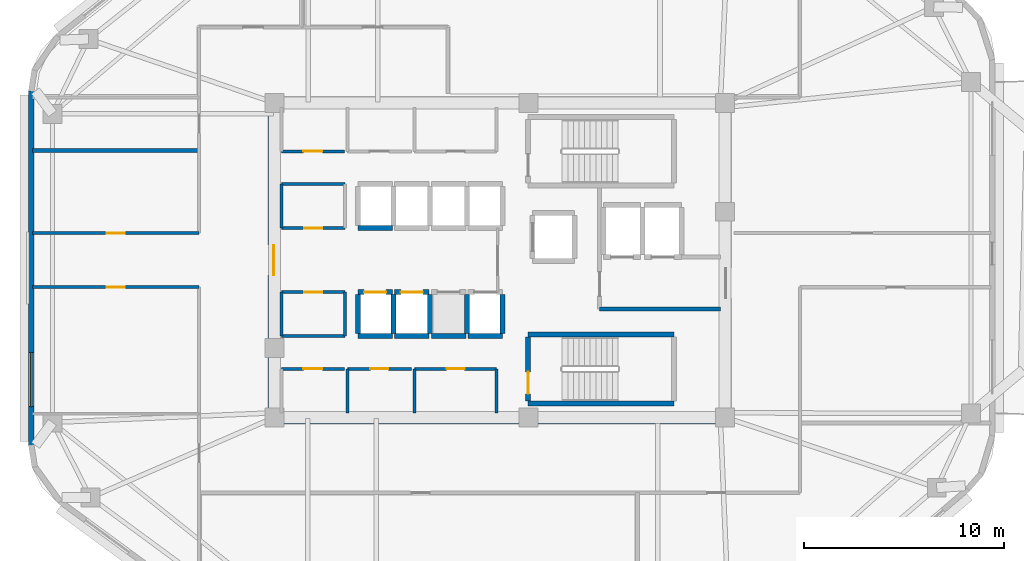
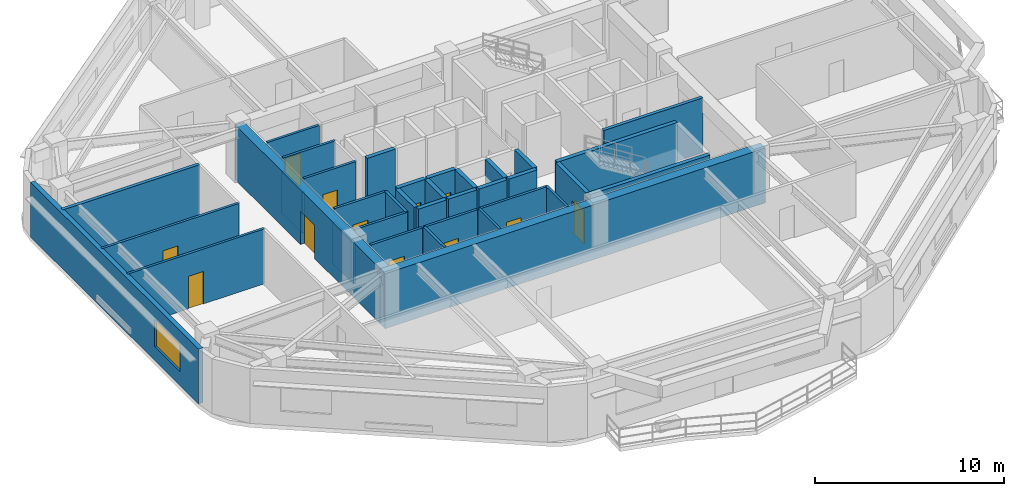
# One storey, part 3 of 9: 36 walls, 12 doors, 1 window, 13 openings.
"""IFC4 building model written with IfcOpenShell, lengths in metres."""

import ifcopenshell
import ifcopenshell.guid

model = None  # the IFC model being written
_history = None  # IfcOwnerHistory: only IFC2X3 demands one
_inside = {}  # id of a spatial element -> (the spatial element, [elements in it])
_under = {}  # id of a project, library or spatial element -> (it, [spatial elements below it])
_declared = {}  # id of a project -> (the project, [libraries it declares])
_typed = {}  # id of a type object -> (the type object, [elements of that type])
_made_of = {}  # id of a material, layer set ... -> (it, [elements and type objects made of it])


def new_model(schema):
    """Start an empty IFC model of exactly this schema.

    Asked for "IFC4X3", IfcOpenShell would pick the latest addendum, in which some entities
    have other attributes; the version numbers below select the first issue.
    IFC2X3 requires an IfcOwnerHistory on every rooted entity: one is made here for all.
    """
    global model, _history
    if schema == "IFC4X3":
        model = ifcopenshell.file(schema_version=(4, 3, 0, 0))
    else:
        model = ifcopenshell.file(schema=schema)
    _inside.clear()
    _under.clear()
    _declared.clear()
    _typed.clear()
    _made_of.clear()
    _history = None
    if model.schema == "IFC2X3":
        org = make("IfcOrganization", Name="unknown")
        user = make(
            "IfcPersonAndOrganization",
            ThePerson=make("IfcPerson", FamilyName="unknown"),
            TheOrganization=org,
        )
        app = make(
            "IfcApplication",
            ApplicationDeveloper=org,
            Version="unknown",
            ApplicationFullName="unknown",
            ApplicationIdentifier="unknown",
        )
        _history = make(
            "IfcOwnerHistory",
            OwningUser=user,
            OwningApplication=app,
            ChangeAction="ADDED",
            CreationDate=0,
        )
    return model


def make(cls, **values):
    """One entity of the class cls with the attributes given. An attribute that is None is left unset."""
    return model.create_entity(
        cls, **{name: value for name, value in values.items() if value is not None}
    )


def rooted(cls, **values):
    """An entity with a GlobalId (a new one), such as an element, a storey or a relation."""
    return make(cls, GlobalId=ifcopenshell.guid.new(), OwnerHistory=_history, **values)


def si_unit(unit_type, name, prefix=None):
    """IfcSIUnit, for example si_unit("LENGTHUNIT", "METRE", prefix="MILLI")."""
    return make("IfcSIUnit", UnitType=unit_type, Prefix=prefix, Name=name)


def assignment(units):
    """IfcUnitAssignment: the units of a project."""
    return None if units is None else make("IfcUnitAssignment", Units=units)


def point(xyz):
    """IfcCartesianPoint."""
    return None if xyz is None else make("IfcCartesianPoint", Coordinates=xyz)


def direction(xyz):
    """IfcDirection."""
    return None if xyz is None else make("IfcDirection", DirectionRatios=xyz)


def frame(location, z_axis=None, x_axis=None):
    """IfcAxis2Placement3D, a coordinate frame: its origin and axes. An axis left out is left unset."""
    return make(
        "IfcAxis2Placement3D",
        Location=point(location),
        Axis=direction(z_axis),
        RefDirection=direction(x_axis),
    )


def frame_2d(location, x_axis=None):
    """IfcAxis2Placement2D, a coordinate frame in the plane: its origin and x axis."""
    return make(
        "IfcAxis2Placement2D", Location=point(location), RefDirection=direction(x_axis)
    )


def origin():
    """The frame at (0, 0, 0) with its axes left unset."""
    return frame((0.0, 0.0, 0.0))


def place(relative_to, where):
    """IfcLocalPlacement: puts the frame where relative to a parent placement (None: the world)."""
    return make(
        "IfcLocalPlacement", PlacementRelTo=relative_to, RelativePlacement=where
    )


def context(
    kind, dimensions, precision=None, world=None, true_north=None, identifier=None
):
    """IfcGeometricRepresentationContext, for example the 3D "Model" context."""
    return make(
        "IfcGeometricRepresentationContext",
        ContextIdentifier=identifier,
        ContextType=kind,
        CoordinateSpaceDimension=dimensions,
        Precision=precision,
        WorldCoordinateSystem=world,
        TrueNorth=true_north,
    )


def subcontext(parent, identifier, kind, view, scale=None):
    """IfcGeometricRepresentationSubContext, for example "Body" below "Model"."""
    return make(
        "IfcGeometricRepresentationSubContext",
        ContextIdentifier=identifier,
        ContextType=kind,
        ParentContext=parent,
        TargetScale=scale,
        TargetView=view,
    )


def project(units=None, contexts=None):
    """IfcProject with its units and contexts."""
    return rooted(
        "IfcProject",
        Name="project",
        RepresentationContexts=contexts,
        UnitsInContext=assignment(units),
    )


def spatial(cls, under=None, at=None, **own):
    """A site, building, storey or space (cls), placed at a placement, below another one or the project."""
    s = rooted(cls, ObjectPlacement=at, **own)
    if under is not None:
        _under.setdefault(under.id(), (under, []))[1].append(s)
    return s


def profile(cls, at=None, kind="AREA", **sizes):
    """A parametric profile (cls). Its sizes go by their IFC names, for example OverallWidth=200.0."""
    return make(cls, ProfileType=kind, Position=at, **sizes)


def rectangle(**sizes):
    """IfcRectangleProfileDef."""
    return profile("IfcRectangleProfileDef", **sizes)


def extrude(swept, where, along, depth):
    """IfcExtrudedAreaSolid: the profile swept, set in the frame where, extruded along a direction by depth."""
    return make(
        "IfcExtrudedAreaSolid",
        SweptArea=swept,
        Position=where,
        ExtrudedDirection=direction(along),
        Depth=depth,
    )


def shape(context_of_items, identifier, shape_type, items):
    """IfcShapeRepresentation: the items that make up one representation, for example the "Body"."""
    return make(
        "IfcShapeRepresentation",
        ContextOfItems=context_of_items,
        RepresentationIdentifier=identifier,
        RepresentationType=shape_type,
        Items=items,
    )


def material(Name=None, Category=None):
    """IfcMaterial."""
    return make("IfcMaterial", Name=Name, Category=Category)


def layer(
    of_material, thickness, ventilated=None, Name=None, Category=None, Priority=None
):
    """IfcMaterialLayer: one layer of a wall or slab, of a material (None: an air gap)."""
    return make(
        "IfcMaterialLayer",
        Material=of_material,
        LayerThickness=thickness,
        IsVentilated=ventilated,
        Name=Name,
        Category=Category,
        Priority=Priority,
    )


def layer_set(layers, Name=None):
    """IfcMaterialLayerSet."""
    return make("IfcMaterialLayerSet", MaterialLayers=layers, LayerSetName=Name)


def made_of(thing, what):
    """Note that an element or type object is made of a material, layer set ...; save() writes the relation."""
    if what is not None:
        _made_of.setdefault(what.id(), (what, []))[1].append(thing)
    return thing


def type_object(cls, material=None, **own):
    """A type object (cls), such as IfcWallType, which elements share."""
    return made_of(rooted(cls, **own), material)


def element(
    cls,
    number,
    at=None,
    inside=None,
    cuts=None,
    type_object=None,
    material=None,
    context=None,
    identifier="Body",
    shape_type=None,
    held_by="IfcProductDefinitionShape",
    body=None,
    shapes=None,
    **own,
):
    """One element of the class cls, such as IfcWall. Its Tag is "e" and its number.

    at: its placement. inside: the storey or other place that contains it. cuts: it is an
    opening in that element (IfcRelVoidsElement). A single representation is given by context,
    identifier, shape_type and body (its items); several are given by shapes. held_by: the class
    of the entity that holds the representations. save() writes the other relations.
    """
    e = rooted(cls, Tag="e%d" % number, ObjectPlacement=at, **own)
    if body is not None:
        shapes = [shape(context, identifier, shape_type, body)]
    if shapes is not None:
        e.Representation = make(held_by, Representations=shapes)
    if inside is not None:
        _inside.setdefault(inside.id(), (inside, []))[1].append(e)
    if cuts is not None:
        rooted(
            "IfcRelVoidsElement", RelatingBuildingElement=cuts, RelatedOpeningElement=e
        )
    if type_object is not None:
        _typed.setdefault(type_object.id(), (type_object, []))[1].append(e)
    return made_of(e, material)


def fill(opening, filler):
    """IfcRelFillsElement: the door or window that sits in an opening."""
    return rooted(
        "IfcRelFillsElement",
        RelatingOpeningElement=opening,
        RelatedBuildingElement=filler,
    )


def aggregate(whole, parts):
    """IfcRelAggregates: a whole, such as a stair, and the parts it consists of."""
    return rooted("IfcRelAggregates", RelatingObject=whole, RelatedObjects=parts)


def save(model, path):
    """Write the relations noted so far, then the file.

    IfcRelAggregates (storeys below a building ...), IfcRelContainedInSpatialStructure (elements
    in a storey), IfcRelDefinesByType, IfcRelAssociatesMaterial and IfcRelDeclares: one each for
    every whole, place, type object, material and project.
    """
    for whole, parts in _under.values():
        aggregate(whole, parts)
    for where, things in _inside.values():
        rooted(
            "IfcRelContainedInSpatialStructure",
            RelatedElements=things,
            RelatingStructure=where,
        )
    for kind, things in _typed.values():
        rooted("IfcRelDefinesByType", RelatedObjects=things, RelatingType=kind)
    for what, things in _made_of.values():
        rooted("IfcRelAssociatesMaterial", RelatedObjects=things, RelatingMaterial=what)
    for by, libraries in _declared.values():
        rooted("IfcRelDeclares", RelatingContext=by, RelatedDefinitions=libraries)
    model.write(path)


model = new_model("IFC4")

# Units and contexts
model_context = context("Model", 3, precision=1e-05, world=origin(), true_north=direction((0.0, 1.0)))
body_context = subcontext(model_context, "Body", "Model", "MODEL_VIEW")
ifc_project = project(units=[si_unit("LENGTHUNIT", "METRE"), si_unit("AREAUNIT", "SQUARE_METRE"), si_unit("VOLUMEUNIT", "CUBIC_METRE"), si_unit("PLANEANGLEUNIT", "RADIAN"), si_unit("MASSUNIT", "GRAM", prefix="KILO")], contexts=[model_context])

# Site, building, storey
site_placement = place(None, origin())
site = spatial("IfcSite", under=ifc_project, at=site_placement, CompositionType="ELEMENT")
building_placement = place(site_placement, origin())
building = spatial("IfcBuilding", under=site, at=building_placement, Name="Zulverin Broadcast Headquarters", CompositionType="ELEMENT")
storey_placement = place(building_placement, frame((0.0, 0.0, 159.199951171875)))
storey = spatial("IfcBuildingStorey", under=building, at=storey_placement, Name="L40", CompositionType="ELEMENT", Elevation=159.199951171875)

# Walls
ifc_material_1 = material(Name="Acoustic drywall steel stud", Category="steel")
ifc_layer_1 = layer(ifc_material_1, 0.199951171875, Name="Acoustic drywall steel stud", Category="steel")
ifc_layer_set_1 = layer_set([ifc_layer_1], Name="Acoustic drywall steel stud")
wall_type_1 = type_object("IfcWallType", Name="WL-ACOU-200", PredefinedType="PARTITIONING", material=ifc_layer_set_1)
wall_1_placement = place(storey_placement, frame((13.60498046875, 30.699951171875, 0.0), z_axis=(0.0, 0.0, 1.0), x_axis=(1.0, 0.0, 0.0)))
element("IfcWall", 1, at=wall_1_placement, inside=storey, type_object=wall_type_1, Name="L40 Room Partition Wall RP-15", PredefinedType="PARTITIONING", context=body_context, shape_type="SweptSolid", body=[
    extrude(rectangle(XDim=8.344970703125, YDim=0.199951171875, at=frame_2d((4.17236328125, 0.0))), origin(), (0.0, 0.0, 1.0), 3.5400390625),
])
ifc_material_2 = material(Name="Concrete C60/75", Category="concrete")
ifc_layer_2 = layer(ifc_material_2, 0.550048828125, Name="Concrete C60/75", Category="concrete")
ifc_layer_set_2 = layer_set([ifc_layer_2], Name="Concrete C60/75")
wall_type_2 = type_object("IfcWallType", Name="WL-CORE-550", PredefinedType="SHEAR", material=ifc_layer_set_2)
wall_2_placement = place(storey_placement, frame((25.39990234375, 17.27490234375, 0.0), z_axis=(0.0, 0.0, 1.0), x_axis=(1.0, 0.0, 0.0)))
element("IfcWall", 2, at=wall_2_placement, inside=storey, type_object=wall_type_2, Name="L40 Core South Shear Wall", PredefinedType="SHEAR", context=body_context, shape_type="SweptSolid", body=[
    extrude(rectangle(XDim=23.2001953125, YDim=0.550048828125, at=frame_2d((11.60009765625, 0.0))), origin(), (0.0, 0.0, 1.0), 3.5400390625),
])

# Wall, opening, door
wall_3_placement = place(storey_placement, frame((25.675048828125, 17.550048828125, 0.0), z_axis=(0.0, 0.0, 1.0), x_axis=(0.0, 1.0, 0.0)))
wall_3 = element("IfcWall", 3, at=wall_3_placement, inside=storey, type_object=wall_type_2, Name="L40 Core West Shear Wall", PredefinedType="SHEAR", context=body_context, shape_type="SweptSolid", body=[
    extrude(rectangle(XDim=15.300048828125, YDim=0.550048828125, at=frame_2d((7.64990234375, 0.0))), origin(), (0.0, 0.0, 1.0), 3.5400390625),
])
opening_1_placement = place(wall_3_placement, frame((6.89990234375, 0.0, 0.0)))
opening_1 = element("IfcOpeningElement", 4, at=opening_1_placement, cuts=wall_3, Name="Opening D-L40-CW1", PredefinedType="OPENING", context=body_context, shape_type="SweptSolid", body=[
    extrude(rectangle(XDim=1.5, YDim=2.14990234375, at=frame_2d((0.75, 1.074951171875))), frame((0.0, 0.284912109375, 0.0), z_axis=(0.0, -1.0, 0.0), x_axis=(1.0, 0.0, 0.0)), (0.0, 0.0, 1.0), 0.570068359375),
])
ifc_material_3 = material(Name="Fire-rated glazed steel frame", Category="steel")
door_type_1 = type_object("IfcDoorType", Name="DR-COR-1500", OperationType="DOUBLE_DOOR_SINGLE_SWING", PredefinedType="DOOR", material=ifc_material_3)
door_1_placement = place(opening_1_placement, origin())
door_1 = element("IfcDoor", 5, at=door_1_placement, inside=storey, type_object=door_type_1, Name="L40 Central Lift Lobby West Portal Door", OperationType="DOUBLE_DOOR_SINGLE_SWING", OverallHeight=2.14990234375, OverallWidth=1.5, PredefinedType="DOOR", context=body_context, shape_type="SweptSolid", body=[
    extrude(rectangle(XDim=1.5, YDim=2.14990234375, at=frame_2d((0.75, 1.074951171875))), frame((0.0, 0.02490234375, 0.0), z_axis=(0.0, -1.0, 0.0), x_axis=(1.0, 0.0, 0.0)), (0.0, 0.0, 1.0), 0.050048828125),
])
fill(opening_1, door_1)

# Wall, opening, window
ifc_material_4 = material(Name="Insulated pale-metal clad concrete spandrel C40/50", Category="concrete")
ifc_layer_3 = layer(ifc_material_4, 0.280029296875, Name="Insulated pale-metal clad concrete spandrel C40/50", Category="concrete")
ifc_layer_set_3 = layer_set([ifc_layer_3], Name="Insulated pale-metal clad concrete spandrel C40/50")
wall_type_3 = type_object("IfcWallType", Name="WL-EXT-280", PredefinedType="STANDARD", material=ifc_layer_set_3)
wall_4_placement = place(storey_placement, frame((13.5400390625, 33.673095703125, 0.0), z_axis=(0.0, 0.0, 1.0), x_axis=(0.0, -1.0, 0.0)))
wall_4 = element("IfcWall", 6, at=wall_4_placement, inside=storey, type_object=wall_type_3, Name="L40 Pale-Metal Clad Spandrel Wall 7", PredefinedType="STANDARD", context=body_context, shape_type="SweptSolid", body=[
    extrude(rectangle(XDim=17.751220703125, YDim=0.280029296875, at=frame_2d((8.87548828125, 0.0))), origin(), (0.0, 0.0, 1.0), 3.5400390625),
])
opening_2_placement = place(wall_4_placement, frame((13.109375, 0.0, 0.89990234375)))
opening_2 = element("IfcOpeningElement", 7, at=opening_2_placement, cuts=wall_4, Name="Opening W-L40-E71", PredefinedType="OPENING", context=body_context, shape_type="SweptSolid", body=[
    extrude(rectangle(XDim=2.699951171875, YDim=1.75, at=frame_2d((1.35009765625, 0.875))), frame((0.0, 0.14990234375, 0.0), z_axis=(0.0, -1.0, 0.0), x_axis=(1.0, 0.0, 0.0)), (0.0, 0.0, 1.0), 0.300048828125),
])
ifc_material_5 = material(Name="Pale anodized aluminium frame with solar-control low-E double glazing", Category="aluminium")
window_type = type_object("IfcWindowType", Name="WIN-TWR-2700", PartitioningType="SINGLE_PANEL", PredefinedType="WINDOW", material=ifc_material_5)
window_placement = place(opening_2_placement, origin())
window = element("IfcWindow", 8, at=window_placement, inside=storey, type_object=window_type, Name="L40 Ribbon Glazing Window 7 1", OverallHeight=1.75, OverallWidth=2.699951171875, PartitioningType="SINGLE_PANEL", PredefinedType="WINDOW", context=body_context, shape_type="SweptSolid", body=[
    extrude(rectangle(XDim=2.699951171875, YDim=1.75, at=frame_2d((1.35009765625, 0.875))), frame((0.0, 0.030029296875, 0.0), z_axis=(0.0, -1.0, 0.0), x_axis=(1.0, 0.0, 0.0)), (0.0, 0.0, 1.0), 0.06005859375),
])
fill(opening_2, window)

# Wall
ifc_material_6 = material(Name="Concrete C40/50", Category="concrete")
ifc_layer_4 = layer(ifc_material_6, 0.199951171875, Name="Concrete C40/50", Category="concrete")
ifc_layer_set_4 = layer_set([ifc_layer_4], Name="Concrete C40/50")
wall_type_4 = type_object("IfcWallType", Name="WL-FFL-200", PredefinedType="SOLIDWALL", material=ifc_layer_set_4)
wall_5_placement = place(storey_placement, frame((42.0, 22.75, 0.0), z_axis=(0.0, 0.0, 1.0), x_axis=(1.0, 0.0, 0.0)))
element("IfcWall", 9, at=wall_5_placement, inside=storey, type_object=wall_type_4, Name="L40 Firefighting Lift Lobby South Wall", PredefinedType="SOLIDWALL", context=body_context, shape_type="SweptSolid", body=[
    extrude(rectangle(XDim=6.050048828125, YDim=0.199951171875, at=frame_2d((3.02490234375, 0.0))), origin(), (0.0, 0.0, 1.0), 3.5400390625),
])

# Wall, opening, door
ifc_material_7 = material(Name="Fire-rated gypsum stud partition", Category="gypsum")
ifc_layer_5 = layer(ifc_material_7, 0.14990234375, Name="Fire-rated gypsum stud partition", Category="gypsum")
ifc_layer_set_5 = layer_set([ifc_layer_5], Name="Fire-rated gypsum stud partition")
wall_type_5 = type_object("IfcWallType", Name="WL-PART-150", PredefinedType="PARTITIONING", material=ifc_layer_set_5)
wall_6_placement = place(storey_placement, frame((26.070068359375, 30.64990234375, 0.0), z_axis=(0.0, 0.0, 1.0), x_axis=(1.0, 0.0, 0.0)))
wall_6 = element("IfcWall", 10, at=wall_6_placement, inside=storey, type_object=wall_type_5, Name="L40 Core Male WC Front Wall", PredefinedType="PARTITIONING", context=body_context, shape_type="SweptSolid", body=[
    extrude(rectangle(XDim=3.14990234375, YDim=0.14990234375, at=frame_2d((1.574951171875, 0.0))), origin(), (0.0, 0.0, 1.0), 3.5400390625),
])
opening_3_placement = place(wall_6_placement, frame((1.10009765625, 0.0, 0.0)))
opening_3 = element("IfcOpeningElement", 11, at=opening_3_placement, cuts=wall_6, Name="Opening D-L40-NC1", PredefinedType="OPENING", context=body_context, shape_type="SweptSolid", body=[
    extrude(rectangle(XDim=0.949951171875, YDim=2.10009765625, at=frame_2d((0.47509765625, 1.050048828125))), frame((0.0, 0.0849609375, 0.0), z_axis=(0.0, -1.0, 0.0), x_axis=(1.0, 0.0, 0.0)), (0.0, 0.0, 1.0), 0.169921875),
])
ifc_material_8 = material(Name="Fire-rated moisture-resistant laminate leaf", Category="wood")
door_type_2 = type_object("IfcDoorType", Name="DR-WC-950", OperationType="SINGLE_SWING_LEFT", PredefinedType="DOOR", material=ifc_material_8)
door_2_placement = place(opening_3_placement, origin())
door_2 = element("IfcDoor", 12, at=door_2_placement, inside=storey, type_object=door_type_2, Name="L40 Male WC Door", OperationType="SINGLE_SWING_LEFT", OverallHeight=2.10009765625, OverallWidth=0.949951171875, PredefinedType="DOOR", context=body_context, shape_type="SweptSolid", body=[
    extrude(rectangle(XDim=0.949951171875, YDim=2.10009765625, at=frame_2d((0.47509765625, 1.050048828125))), frame((0.0, 0.02490234375, 0.0), z_axis=(0.0, -1.0, 0.0), x_axis=(1.0, 0.0, 0.0)), (0.0, 0.0, 1.0), 0.050048828125),
])
fill(opening_3, door_2)

wall_7_placement = place(storey_placement, frame((26.070068359375, 19.75, 0.0), z_axis=(0.0, 0.0, 1.0), x_axis=(1.0, 0.0, 0.0)))
wall_7 = element("IfcWall", 13, at=wall_7_placement, inside=storey, type_object=wall_type_5, Name="L40 Core Female WC Front Wall", PredefinedType="PARTITIONING", context=body_context, shape_type="SweptSolid", body=[
    extrude(rectangle(XDim=3.14990234375, YDim=0.14990234375, at=frame_2d((1.574951171875, 0.0))), origin(), (0.0, 0.0, 1.0), 3.5400390625),
])
opening_4_placement = place(wall_7_placement, frame((1.10009765625, 0.0, 0.0)))
opening_4 = element("IfcOpeningElement", 14, at=opening_4_placement, cuts=wall_7, Name="Opening D-L40-SC1", PredefinedType="OPENING", context=body_context, shape_type="SweptSolid", body=[
    extrude(rectangle(XDim=0.949951171875, YDim=2.10009765625, at=frame_2d((0.47509765625, 1.050048828125))), frame((0.0, 0.0849609375, 0.0), z_axis=(0.0, -1.0, 0.0), x_axis=(1.0, 0.0, 0.0)), (0.0, 0.0, 1.0), 0.169921875),
])
door_3_placement = place(opening_4_placement, origin())
door_3 = element("IfcDoor", 15, at=door_3_placement, inside=storey, type_object=door_type_2, Name="L40 Female WC Door", OperationType="SINGLE_SWING_RIGHT", OverallHeight=2.10009765625, OverallWidth=0.949951171875, PredefinedType="DOOR", context=body_context, shape_type="SweptSolid", body=[
    extrude(rectangle(XDim=0.949951171875, YDim=2.10009765625, at=frame_2d((0.47509765625, 1.050048828125))), frame((0.0, 0.02490234375, 0.0), z_axis=(0.0, -1.0, 0.0), x_axis=(1.0, 0.0, 0.0)), (0.0, 0.0, 1.0), 0.050048828125),
])
fill(opening_4, door_3)

wall_8_placement = place(storey_placement, frame((29.3798828125, 19.75, 0.0), z_axis=(0.0, 0.0, 1.0), x_axis=(1.0, 0.0, 0.0)))
wall_8 = element("IfcWall", 16, at=wall_8_placement, inside=storey, type_object=wall_type_5, Name="L40 Core Cleaner Store Front Wall", PredefinedType="PARTITIONING", context=body_context, shape_type="SweptSolid", body=[
    extrude(rectangle(XDim=3.190185546875, YDim=0.14990234375, at=frame_2d((1.59521484375, 0.0))), origin(), (0.0, 0.0, 1.0), 3.5400390625),
])
opening_5_placement = place(wall_8_placement, frame((1.14501953125, 0.0, 0.0)))
opening_5 = element("IfcOpeningElement", 17, at=opening_5_placement, cuts=wall_8, Name="Opening D-L40-SC2", PredefinedType="OPENING", context=body_context, shape_type="SweptSolid", body=[
    extrude(rectangle(XDim=0.89990234375, YDim=2.10009765625, at=frame_2d((0.449951171875, 1.050048828125))), frame((0.0, 0.0849609375, 0.0), z_axis=(0.0, -1.0, 0.0), x_axis=(1.0, 0.0, 0.0)), (0.0, 0.0, 1.0), 0.169921875),
])
ifc_material_9 = material(Name="Powder-coated steel access leaf", Category="steel")
door_type_3 = type_object("IfcDoorType", Name="DR-RISER-900", OperationType="SINGLE_SWING_LEFT", PredefinedType="DOOR", material=ifc_material_9)
door_4_placement = place(opening_5_placement, origin())
door_4 = element("IfcDoor", 18, at=door_4_placement, inside=storey, type_object=door_type_3, Name="L40 Cleaner Store Door", OperationType="SINGLE_SWING_LEFT", OverallHeight=2.10009765625, OverallWidth=0.89990234375, PredefinedType="DOOR", context=body_context, shape_type="SweptSolid", body=[
    extrude(rectangle(XDim=0.89990234375, YDim=2.10009765625, at=frame_2d((0.449951171875, 1.050048828125))), frame((0.0, 0.02490234375, 0.0), z_axis=(0.0, -1.0, 0.0), x_axis=(1.0, 0.0, 0.0)), (0.0, 0.0, 1.0), 0.050048828125),
])
fill(opening_5, door_4)

# Wall
wall_9_placement = place(storey_placement, frame((29.3798828125, 17.550048828125, 0.0), z_axis=(0.0, 0.0, 1.0), x_axis=(0.0, 1.0, 0.0)))
element("IfcWall", 19, at=wall_9_placement, inside=storey, type_object=wall_type_5, Name="L40 Core Cleaner Store West Wall", PredefinedType="PARTITIONING", context=body_context, shape_type="SweptSolid", body=[
    extrude(rectangle(XDim=2.199951171875, YDim=0.14990234375, at=frame_2d((1.10009765625, 0.0))), origin(), (0.0, 0.0, 1.0), 3.5400390625),
])

# Wall, opening, door
wall_10_placement = place(storey_placement, frame((32.72998046875, 19.75, 0.0), z_axis=(0.0, 0.0, 1.0), x_axis=(1.0, 0.0, 0.0)))
wall_10 = element("IfcWall", 20, at=wall_10_placement, inside=storey, type_object=wall_type_5, Name="L40 Core Broadcast Fibre Riser Front Wall", PredefinedType="PARTITIONING", context=body_context, shape_type="SweptSolid", body=[
    extrude(rectangle(XDim=4.1201171875, YDim=0.14990234375, at=frame_2d((2.06005859375, 0.0))), origin(), (0.0, 0.0, 1.0), 3.5400390625),
])
opening_6_placement = place(wall_10_placement, frame((1.610107421875, 0.0, 0.0)))
opening_6 = element("IfcOpeningElement", 21, at=opening_6_placement, cuts=wall_10, Name="Opening D-L40-SC3", PredefinedType="OPENING", context=body_context, shape_type="SweptSolid", body=[
    extrude(rectangle(XDim=0.89990234375, YDim=2.10009765625, at=frame_2d((0.449951171875, 1.050048828125))), frame((0.0, 0.0849609375, 0.0), z_axis=(0.0, -1.0, 0.0), x_axis=(1.0, 0.0, 0.0)), (0.0, 0.0, 1.0), 0.169921875),
])
door_5_placement = place(opening_6_placement, origin())
door_5 = element("IfcDoor", 22, at=door_5_placement, inside=storey, type_object=door_type_3, Name="L40 Broadcast Fibre Riser Door", OperationType="SINGLE_SWING_RIGHT", OverallHeight=2.10009765625, OverallWidth=0.89990234375, PredefinedType="DOOR", context=body_context, shape_type="SweptSolid", body=[
    extrude(rectangle(XDim=0.89990234375, YDim=2.10009765625, at=frame_2d((0.449951171875, 1.050048828125))), frame((0.0, 0.02490234375, 0.0), z_axis=(0.0, -1.0, 0.0), x_axis=(1.0, 0.0, 0.0)), (0.0, 0.0, 1.0), 0.050048828125),
])
fill(opening_6, door_5)

# Walls
for number, where, z_axis, x_axis, name in (
    (23, (32.72998046875, 17.550048828125, 0.0), (0.0, 0.0, 1.0), (0.0, 1.0, 0.0), "L40 Core Broadcast Fibre Riser West Wall"),
    (24, (36.85009765625, 17.550048828125, 0.0), (0.0, 0.0, 1.0), (0.0, 1.0, 0.0), "L40 Core Broadcast Fibre Riser East Wall"),
):
    element("IfcWall", number, at=place(storey_placement, frame(where, z_axis=z_axis, x_axis=x_axis)), inside=storey, type_object=wall_type_5, Name=name, PredefinedType="PARTITIONING", context=body_context, shape_type="SweptSolid", body=[
        extrude(rectangle(XDim=2.199951171875, YDim=0.14990234375, at=frame_2d((1.10009765625, 0.0))), origin(), (0.0, 0.0, 1.0), 3.5400390625),
    ])

# Wall, opening, door
wall_11_placement = place(storey_placement, frame((26.070068359375, 26.800048828125, 0.0), z_axis=(0.0, 0.0, 1.0), x_axis=(1.0, 0.0, 0.0)))
wall_11 = element("IfcWall", 25, at=wall_11_placement, inside=storey, type_object=wall_type_5, Name="L40 Core UPS Battery Store S Wall", PredefinedType="PARTITIONING", context=body_context, shape_type="SweptSolid", body=[
    extrude(rectangle(XDim=3.179931640625, YDim=0.14990234375, at=frame_2d((1.58984375, 0.0))), origin(), (0.0, 0.0, 1.0), 3.5400390625),
])
opening_7_placement = place(wall_11_placement, frame((1.139892578125, 0.0, 0.0)))
opening_7 = element("IfcOpeningElement", 26, at=opening_7_placement, cuts=wall_11, Name="Opening D-L40-RCLN", PredefinedType="OPENING", context=body_context, shape_type="SweptSolid", body=[
    extrude(rectangle(XDim=0.89990234375, YDim=2.10009765625, at=frame_2d((0.449951171875, 1.050048828125))), frame((0.0, 0.0849609375, 0.0), z_axis=(0.0, -1.0, 0.0), x_axis=(1.0, 0.0, 0.0)), (0.0, 0.0, 1.0), 0.169921875),
])
door_6_placement = place(opening_7_placement, origin())
door_6 = element("IfcDoor", 27, at=door_6_placement, inside=storey, type_object=door_type_3, Name="L40 Core UPS Battery Store Door", OperationType="SINGLE_SWING_LEFT", OverallHeight=2.10009765625, OverallWidth=0.89990234375, PredefinedType="DOOR", context=body_context, shape_type="SweptSolid", body=[
    extrude(rectangle(XDim=0.89990234375, YDim=2.10009765625, at=frame_2d((0.449951171875, 1.050048828125))), frame((0.0, 0.02490234375, 0.0), z_axis=(0.0, -1.0, 0.0), x_axis=(1.0, 0.0, 0.0)), (0.0, 0.0, 1.0), 0.050048828125),
])
fill(opening_7, door_6)

# Walls
wall_12_placement = place(storey_placement, frame((26.070068359375, 29.0, 0.0), z_axis=(0.0, 0.0, 1.0), x_axis=(1.0, 0.0, 0.0)))
element("IfcWall", 28, at=wall_12_placement, inside=storey, type_object=wall_type_5, Name="L40 Core UPS Battery Store N Wall", PredefinedType="PARTITIONING", context=body_context, shape_type="SweptSolid", body=[
    extrude(rectangle(XDim=3.179931640625, YDim=0.14990234375, at=frame_2d((1.58984375, 0.0))), origin(), (0.0, 0.0, 1.0), 3.5400390625),
])
wall_13_placement = place(storey_placement, frame((26.070068359375, 26.800048828125, 0.0), z_axis=(0.0, 0.0, 1.0), x_axis=(0.0, 1.0, 0.0)))
element("IfcWall", 29, at=wall_13_placement, inside=storey, type_object=wall_type_5, Name="L40 Core UPS Battery Store W Wall", PredefinedType="PARTITIONING", context=body_context, shape_type="SweptSolid", body=[
    extrude(rectangle(XDim=2.199951171875, YDim=0.14990234375, at=frame_2d((1.10009765625, 0.0))), origin(), (0.0, 0.0, 1.0), 2.64013671875),
])
wall_14_placement = place(storey_placement, frame((26.070068359375, 21.39990234375, 0.0), z_axis=(0.0, 0.0, 1.0), x_axis=(1.0, 0.0, 0.0)))
element("IfcWall", 30, at=wall_14_placement, inside=storey, type_object=wall_type_5, Name="L40 Housekeeping Equipment Store S Wall", PredefinedType="PARTITIONING", context=body_context, shape_type="SweptSolid", body=[
    extrude(rectangle(XDim=3.179931640625, YDim=0.14990234375, at=frame_2d((1.58984375, 0.0))), origin(), (0.0, 0.0, 1.0), 3.5400390625),
])

# Wall, opening, door
wall_15_placement = place(storey_placement, frame((26.070068359375, 23.60009765625, 0.0), z_axis=(0.0, 0.0, 1.0), x_axis=(1.0, 0.0, 0.0)))
wall_15 = element("IfcWall", 31, at=wall_15_placement, inside=storey, type_object=wall_type_5, Name="L40 Housekeeping Equipment Store N Wall", PredefinedType="PARTITIONING", context=body_context, shape_type="SweptSolid", body=[
    extrude(rectangle(XDim=3.179931640625, YDim=0.14990234375, at=frame_2d((1.58984375, 0.0))), origin(), (0.0, 0.0, 1.0), 3.5400390625),
])
opening_8_placement = place(wall_15_placement, frame((1.139892578125, 0.0, 0.0)))
opening_8 = element("IfcOpeningElement", 32, at=opening_8_placement, cuts=wall_15, Name="Opening D-L40-RCLS", PredefinedType="OPENING", context=body_context, shape_type="SweptSolid", body=[
    extrude(rectangle(XDim=0.89990234375, YDim=2.10009765625, at=frame_2d((0.449951171875, 1.050048828125))), frame((0.0, 0.0849609375, 0.0), z_axis=(0.0, -1.0, 0.0), x_axis=(1.0, 0.0, 0.0)), (0.0, 0.0, 1.0), 0.169921875),
])
door_7_placement = place(opening_8_placement, origin())
door_7 = element("IfcDoor", 33, at=door_7_placement, inside=storey, type_object=door_type_3, Name="L40 Housekeeping Equipment Store Door", OperationType="SINGLE_SWING_RIGHT", OverallHeight=2.10009765625, OverallWidth=0.89990234375, PredefinedType="DOOR", context=body_context, shape_type="SweptSolid", body=[
    extrude(rectangle(XDim=0.89990234375, YDim=2.10009765625, at=frame_2d((0.449951171875, 1.050048828125))), frame((0.0, 0.02490234375, 0.0), z_axis=(0.0, -1.0, 0.0), x_axis=(1.0, 0.0, 0.0)), (0.0, 0.0, 1.0), 0.050048828125),
])
fill(opening_8, door_7)

# Walls
wall_16_placement = place(storey_placement, frame((26.070068359375, 21.39990234375, 0.0), z_axis=(0.0, 0.0, 1.0), x_axis=(0.0, 1.0, 0.0)))
element("IfcWall", 34, at=wall_16_placement, inside=storey, type_object=wall_type_5, Name="L40 Housekeeping Equipment Store W Wall", PredefinedType="PARTITIONING", context=body_context, shape_type="SweptSolid", body=[
    extrude(rectangle(XDim=2.2001953125, YDim=0.14990234375, at=frame_2d((1.10009765625, 0.0))), origin(), (0.0, 0.0, 1.0), 2.64013671875),
])
wall_17_placement = place(storey_placement, frame((29.25, 21.39990234375, 0.0), z_axis=(0.0, 0.0, 1.0), x_axis=(0.0, 1.0, 0.0)))
element("IfcWall", 35, at=wall_17_placement, inside=storey, type_object=wall_type_5, Name="L40 Housekeeping Equipment Store E Wall", PredefinedType="PARTITIONING", context=body_context, shape_type="SweptSolid", body=[
    extrude(rectangle(XDim=2.2001953125, YDim=0.14990234375, at=frame_2d((1.10009765625, 0.0))), origin(), (0.0, 0.0, 1.0), 3.5400390625),
])

# Wall, opening, door
wall_18_placement = place(storey_placement, frame((13.60498046875, 23.85009765625, 0.0), z_axis=(0.0, 0.0, 1.0), x_axis=(1.0, 0.0, 0.0)))
wall_18 = element("IfcWall", 36, at=wall_18_placement, inside=storey, type_object=wall_type_5, Name="L40 Gallery Partition Wall CG-11", PredefinedType="PARTITIONING", context=body_context, shape_type="SweptSolid", body=[
    extrude(rectangle(XDim=8.344970703125, YDim=0.14990234375, at=frame_2d((4.17236328125, 0.0))), origin(), (0.0, 0.0, 1.0), 3.5400390625),
])
opening_9_placement = place(wall_18_placement, frame((3.722412109375, 0.0, 0.0)))
opening_9 = element("IfcOpeningElement", 37, at=opening_9_placement, cuts=wall_18, Name="Opening D-L40-06", PredefinedType="OPENING", context=body_context, shape_type="SweptSolid", body=[
    extrude(rectangle(XDim=0.89990234375, YDim=2.10009765625, at=frame_2d((0.449951171875, 1.050048828125))), frame((0.0, 0.0849609375, 0.0), z_axis=(0.0, -1.0, 0.0), x_axis=(1.0, 0.0, 0.0)), (0.0, 0.0, 1.0), 0.169921875),
])
ifc_material_10 = material(Name="Fire-rated hardwood veneer timber leaf", Category="wood")
door_type_4 = type_object("IfcDoorType", Name="DR-ROOM-900", OperationType="SINGLE_SWING_RIGHT", PredefinedType="DOOR", material=ifc_material_10)
door_8_placement = place(opening_9_placement, origin())
door_8 = element("IfcDoor", 38, at=door_8_placement, inside=storey, type_object=door_type_4, Name="L40 Briefing Room Door", OperationType="SINGLE_SWING_LEFT", OverallHeight=2.10009765625, OverallWidth=0.89990234375, PredefinedType="DOOR", context=body_context, shape_type="SweptSolid", body=[
    extrude(rectangle(XDim=0.89990234375, YDim=2.10009765625, at=frame_2d((0.449951171875, 1.050048828125))), frame((0.0, 0.02490234375, 0.0), z_axis=(0.0, -1.0, 0.0), x_axis=(1.0, 0.0, 0.0)), (0.0, 0.0, 1.0), 0.050048828125),
])
fill(opening_9, door_8)

wall_19_placement = place(storey_placement, frame((13.60498046875, 26.550048828125, 0.0), z_axis=(0.0, 0.0, 1.0), x_axis=(1.0, 0.0, 0.0)))
wall_19 = element("IfcWall", 39, at=wall_19_placement, inside=storey, type_object=wall_type_5, Name="L40 Gallery Partition Wall CG-13", PredefinedType="PARTITIONING", context=body_context, shape_type="SweptSolid", body=[
    extrude(rectangle(XDim=8.344970703125, YDim=0.14990234375, at=frame_2d((4.17236328125, 0.0))), origin(), (0.0, 0.0, 1.0), 3.5400390625),
])
opening_10_placement = place(wall_19_placement, frame((3.722412109375, 0.0, 0.0)))
opening_10 = element("IfcOpeningElement", 40, at=opening_10_placement, cuts=wall_19, Name="Opening D-L40-07", PredefinedType="OPENING", context=body_context, shape_type="SweptSolid", body=[
    extrude(rectangle(XDim=0.89990234375, YDim=2.10009765625, at=frame_2d((0.449951171875, 1.050048828125))), frame((0.0, 0.0849609375, 0.0), z_axis=(0.0, -1.0, 0.0), x_axis=(1.0, 0.0, 0.0)), (0.0, 0.0, 1.0), 0.169921875),
])
door_9_placement = place(opening_10_placement, origin())
door_9 = element("IfcDoor", 41, at=door_9_placement, inside=storey, type_object=door_type_4, Name="L40 Archive Library Door", OperationType="SINGLE_SWING_RIGHT", OverallHeight=2.10009765625, OverallWidth=0.89990234375, PredefinedType="DOOR", context=body_context, shape_type="SweptSolid", body=[
    extrude(rectangle(XDim=0.89990234375, YDim=2.10009765625, at=frame_2d((0.449951171875, 1.050048828125))), frame((0.0, 0.02490234375, 0.0), z_axis=(0.0, -1.0, 0.0), x_axis=(1.0, 0.0, 0.0)), (0.0, 0.0, 1.0), 0.050048828125),
])
fill(opening_10, door_9)

# Walls
ifc_material_11 = material(Name="Concrete C50/60", Category="concrete")
ifc_layer_6 = layer(ifc_material_11, 0.25, Name="Concrete C50/60", Category="concrete")
ifc_layer_set_6 = layer_set([ifc_layer_6], Name="Concrete C50/60")
wall_type_6 = type_object("IfcWallType", Name="WL-SHAFT-250", PredefinedType="SHEAR", material=ifc_layer_set_6)
for number, where, z_axis, x_axis, name in (
    (42, (38.425048828125, 18.02490234375, 0.0), (0.0, 0.0, 1.0), (1.0, 0.0, 0.0), "L40 ST-2 Enclosure Wall S"),
    (43, (38.425048828125, 21.47509765625, 0.0), (0.0, 0.0, 1.0), (1.0, 0.0, 0.0), "L40 ST-2 Enclosure Wall N"),
):
    element("IfcWall", number, at=place(storey_placement, frame(where, z_axis=z_axis, x_axis=x_axis)), inside=storey, type_object=wall_type_6, Name=name, PredefinedType="SHEAR", context=body_context, shape_type="SweptSolid", body=[
        extrude(rectangle(XDim=7.300048828125, YDim=0.25, at=frame_2d((3.64990234375, 0.0))), origin(), (0.0, 0.0, 1.0), 3.5400390625),
    ])

# Wall, opening, door
wall_20_placement = place(storey_placement, frame((38.425048828125, 18.14990234375, 0.0), z_axis=(0.0, 0.0, 1.0), x_axis=(0.0, 1.0, 0.0)))
wall_20 = element("IfcWall", 44, at=wall_20_placement, inside=storey, type_object=wall_type_6, Name="L40 ST-2 Enclosure Wall W", PredefinedType="SHEAR", context=body_context, shape_type="SweptSolid", body=[
    extrude(rectangle(XDim=3.2001953125, YDim=0.25, at=frame_2d((1.60009765625, 0.0))), origin(), (0.0, 0.0, 1.0), 3.5400390625),
])
opening_11_placement = place(wall_20_placement, frame((0.35009765625, 0.0, 0.0)))
opening_11 = element("IfcOpeningElement", 45, at=opening_11_placement, cuts=wall_20, Name="Opening D-L40-ST-2", PredefinedType="OPENING", context=body_context, shape_type="SweptSolid", body=[
    extrude(rectangle(XDim=1.10009765625, YDim=2.14990234375, at=frame_2d((0.550048828125, 1.074951171875))), frame((0.0, 0.135009765625, 0.0), z_axis=(0.0, -1.0, 0.0), x_axis=(1.0, 0.0, 0.0)), (0.0, 0.0, 1.0), 0.27001953125),
])
ifc_material_12 = material(Name="Fire-rated steel leaf and frame", Category="steel")
door_type_5 = type_object("IfcDoorType", Name="DR-STAIR-1100", OperationType="SINGLE_SWING_LEFT", PredefinedType="DOOR", material=ifc_material_12)
door_10_placement = place(opening_11_placement, origin())
door_10 = element("IfcDoor", 46, at=door_10_placement, inside=storey, type_object=door_type_5, Name="L40 Exit Stair ST-2 Fire Door", OperationType="SINGLE_SWING_RIGHT", OverallHeight=2.14990234375, OverallWidth=1.10009765625, PredefinedType="DOOR", context=body_context, shape_type="SweptSolid", body=[
    extrude(rectangle(XDim=1.10009765625, YDim=2.14990234375, at=frame_2d((0.550048828125, 1.074951171875))), frame((0.0, 0.02490234375, 0.0), z_axis=(0.0, -1.0, 0.0), x_axis=(1.0, 0.0, 0.0)), (0.0, 0.0, 1.0), 0.050048828125),
])
fill(opening_11, door_10)

# Wall
wall_21_placement = place(storey_placement, frame((29.89990234375, 21.39990234375, 0.0), z_axis=(0.0, 0.0, 1.0), x_axis=(1.0, 0.0, 0.0)))
element("IfcWall", 47, at=wall_21_placement, inside=storey, type_object=wall_type_6, Name="L40 Lift PL-M1 Shaft Wall S", PredefinedType="SHEAR", context=body_context, shape_type="SweptSolid", body=[
    extrude(rectangle(XDim=1.72021484375, YDim=0.25, at=frame_2d((0.860107421875, 0.0))), origin(), (0.0, 0.0, 1.0), 3.5400390625),
])

# Wall, opening, door
wall_22_placement = place(storey_placement, frame((29.89990234375, 23.60009765625, 0.0), z_axis=(0.0, 0.0, 1.0), x_axis=(1.0, 0.0, 0.0)))
wall_22 = element("IfcWall", 48, at=wall_22_placement, inside=storey, type_object=wall_type_6, Name="L40 Lift PL-M1 Shaft Wall N", PredefinedType="SHEAR", context=body_context, shape_type="SweptSolid", body=[
    extrude(rectangle(XDim=1.72021484375, YDim=0.25, at=frame_2d((0.860107421875, 0.0))), origin(), (0.0, 0.0, 1.0), 3.5400390625),
])
opening_12_placement = place(wall_22_placement, frame((0.31005859375, 0.0, 0.0)))
opening_12 = element("IfcOpeningElement", 49, at=opening_12_placement, cuts=wall_22, Name="Opening LD-PL-M1-L40", PredefinedType="OPENING", context=body_context, shape_type="SweptSolid", body=[
    extrude(rectangle(XDim=1.10009765625, YDim=2.14990234375, at=frame_2d((0.550048828125, 1.074951171875))), frame((0.0, 0.135009765625, 0.0), z_axis=(0.0, -1.0, 0.0), x_axis=(1.0, 0.0, 0.0)), (0.0, 0.0, 1.0), 0.27001953125),
])
ifc_material_13 = material(Name="Brushed stainless steel landing", Category="steel")
door_type_6 = type_object("IfcDoorType", Name="LD-PASS-1100", OperationType="DOUBLE_DOOR_SLIDING", PredefinedType="DOOR", material=ifc_material_13)
door_11_placement = place(opening_12_placement, origin())
door_11 = element("IfcDoor", 50, at=door_11_placement, inside=storey, type_object=door_type_6, Name="L40 Lift PL-M1 Sliding Landing Door", OperationType="DOUBLE_DOOR_SLIDING", OverallHeight=2.14990234375, OverallWidth=1.10009765625, PredefinedType="DOOR", context=body_context, shape_type="SweptSolid", body=[
    extrude(rectangle(XDim=1.10009765625, YDim=2.14990234375, at=frame_2d((0.550048828125, 1.074951171875))), frame((0.0, 0.02490234375, 0.0), z_axis=(0.0, -1.0, 0.0), x_axis=(1.0, 0.0, 0.0)), (0.0, 0.0, 1.0), 0.050048828125),
])
fill(opening_12, door_11)

# Walls
for number, where, z_axis, x_axis, name in (
    (51, (29.89990234375, 21.52001953125, 0.0), (0.0, 0.0, 1.0), (0.0, 1.0, 0.0), "L40 Lift PL-M1 Shaft Wall W"),
    (52, (31.679931640625, 21.52001953125, 0.0), (0.0, 0.0, 1.0), (0.0, 1.0, 0.0), "L40 Lift PL-M1 Shaft Wall E"),
):
    element("IfcWall", number, at=place(storey_placement, frame(where, z_axis=z_axis, x_axis=x_axis)), inside=storey, type_object=wall_type_6, Name=name, PredefinedType="SHEAR", context=body_context, shape_type="SweptSolid", body=[
        extrude(rectangle(XDim=1.9599609375, YDim=0.25, at=frame_2d((0.97998046875, 0.0))), origin(), (0.0, 0.0, 1.0), 3.5400390625),
    ])
wall_23_placement = place(storey_placement, frame((31.739990234375, 21.39990234375, 0.0), z_axis=(0.0, 0.0, 1.0), x_axis=(1.0, 0.0, 0.0)))
element("IfcWall", 53, at=wall_23_placement, inside=storey, type_object=wall_type_6, Name="L40 Lift PL-M2 Shaft Wall S", PredefinedType="SHEAR", context=body_context, shape_type="SweptSolid", body=[
    extrude(rectangle(XDim=1.719970703125, YDim=0.25, at=frame_2d((0.85986328125, 0.0))), origin(), (0.0, 0.0, 1.0), 3.5400390625),
])

# Wall, opening, door
wall_24_placement = place(storey_placement, frame((31.739990234375, 23.60009765625, 0.0), z_axis=(0.0, 0.0, 1.0), x_axis=(1.0, 0.0, 0.0)))
wall_24 = element("IfcWall", 54, at=wall_24_placement, inside=storey, type_object=wall_type_6, Name="L40 Lift PL-M2 Shaft Wall N", PredefinedType="SHEAR", context=body_context, shape_type="SweptSolid", body=[
    extrude(rectangle(XDim=1.719970703125, YDim=0.25, at=frame_2d((0.85986328125, 0.0))), origin(), (0.0, 0.0, 1.0), 3.5400390625),
])
opening_13_placement = place(wall_24_placement, frame((0.31005859375, 0.0, 0.0)))
opening_13 = element("IfcOpeningElement", 55, at=opening_13_placement, cuts=wall_24, Name="Opening LD-PL-M2-L40", PredefinedType="OPENING", context=body_context, shape_type="SweptSolid", body=[
    extrude(rectangle(XDim=1.10009765625, YDim=2.14990234375, at=frame_2d((0.550048828125, 1.074951171875))), frame((0.0, 0.135009765625, 0.0), z_axis=(0.0, -1.0, 0.0), x_axis=(1.0, 0.0, 0.0)), (0.0, 0.0, 1.0), 0.27001953125),
])
door_12_placement = place(opening_13_placement, origin())
door_12 = element("IfcDoor", 56, at=door_12_placement, inside=storey, type_object=door_type_6, Name="L40 Lift PL-M2 Sliding Landing Door", OperationType="DOUBLE_DOOR_SLIDING", OverallHeight=2.14990234375, OverallWidth=1.10009765625, PredefinedType="DOOR", context=body_context, shape_type="SweptSolid", body=[
    extrude(rectangle(XDim=1.10009765625, YDim=2.14990234375, at=frame_2d((0.550048828125, 1.074951171875))), frame((0.0, 0.02490234375, 0.0), z_axis=(0.0, -1.0, 0.0), x_axis=(1.0, 0.0, 0.0)), (0.0, 0.0, 1.0), 0.050048828125),
])
fill(opening_13, door_12)

# Walls
wall_25_placement = place(storey_placement, frame((33.52001953125, 21.52001953125, 0.0), z_axis=(0.0, 0.0, 1.0), x_axis=(0.0, 1.0, 0.0)))
element("IfcWall", 57, at=wall_25_placement, inside=storey, type_object=wall_type_6, Name="L40 Lift PL-M2 Shaft Wall E", PredefinedType="SHEAR", context=body_context, shape_type="SweptSolid", body=[
    extrude(rectangle(XDim=1.9599609375, YDim=0.25, at=frame_2d((0.97998046875, 0.0))), origin(), (0.0, 0.0, 1.0), 3.5400390625),
])
wall_26_placement = place(storey_placement, frame((33.580078125, 21.39990234375, 0.0), z_axis=(0.0, 0.0, 1.0), x_axis=(1.0, 0.0, 0.0)))
element("IfcWall", 58, at=wall_26_placement, inside=storey, type_object=wall_type_6, Name="L40 Lift PL-M3 Shaft Wall S", PredefinedType="SHEAR", context=body_context, shape_type="SweptSolid", body=[
    extrude(rectangle(XDim=1.719970703125, YDim=0.25, at=frame_2d((0.85986328125, 0.0))), origin(), (0.0, 0.0, 1.0), 3.5400390625),
])
wall_27_placement = place(storey_placement, frame((35.360107421875, 21.52001953125, 0.0), z_axis=(0.0, 0.0, 1.0), x_axis=(0.0, 1.0, 0.0)))
element("IfcWall", 59, at=wall_27_placement, inside=storey, type_object=wall_type_6, Name="L40 Lift PL-M3 Shaft Wall E", PredefinedType="SHEAR", context=body_context, shape_type="SweptSolid", body=[
    extrude(rectangle(XDim=1.9599609375, YDim=0.25, at=frame_2d((0.97998046875, 0.0))), origin(), (0.0, 0.0, 1.0), 3.5400390625),
])
wall_28_placement = place(storey_placement, frame((35.419921875, 21.39990234375, 0.0), z_axis=(0.0, 0.0, 1.0), x_axis=(1.0, 0.0, 0.0)))
element("IfcWall", 60, at=wall_28_placement, inside=storey, type_object=wall_type_6, Name="L40 Lift PL-M4 Shaft Wall S", PredefinedType="SHEAR", context=body_context, shape_type="SweptSolid", body=[
    extrude(rectangle(XDim=1.719970703125, YDim=0.25, at=frame_2d((0.85986328125, 0.0))), origin(), (0.0, 0.0, 1.0), 3.5400390625),
])
wall_29_placement = place(storey_placement, frame((37.139892578125, 21.52001953125, 0.0), z_axis=(0.0, 0.0, 1.0), x_axis=(0.0, 1.0, 0.0)))
element("IfcWall", 61, at=wall_29_placement, inside=storey, type_object=wall_type_6, Name="L40 Lift PL-M4 Shaft Wall E", PredefinedType="SHEAR", context=body_context, shape_type="SweptSolid", body=[
    extrude(rectangle(XDim=1.9599609375, YDim=0.25, at=frame_2d((0.97998046875, 0.0))), origin(), (0.0, 0.0, 1.0), 3.5400390625),
])
wall_30_placement = place(storey_placement, frame((29.89990234375, 26.800048828125, 0.0), z_axis=(0.0, 0.0, 1.0), x_axis=(1.0, 0.0, 0.0)))
element("IfcWall", 62, at=wall_30_placement, inside=storey, type_object=wall_type_6, Name="L40 Lift PL-H1 Shaft Wall S", PredefinedType="SHEAR", context=body_context, shape_type="SweptSolid", body=[
    extrude(rectangle(XDim=1.72021484375, YDim=0.25, at=frame_2d((0.860107421875, 0.0))), origin(), (0.0, 0.0, 1.0), 3.5400390625),
])

save(model, "model.ifc")
